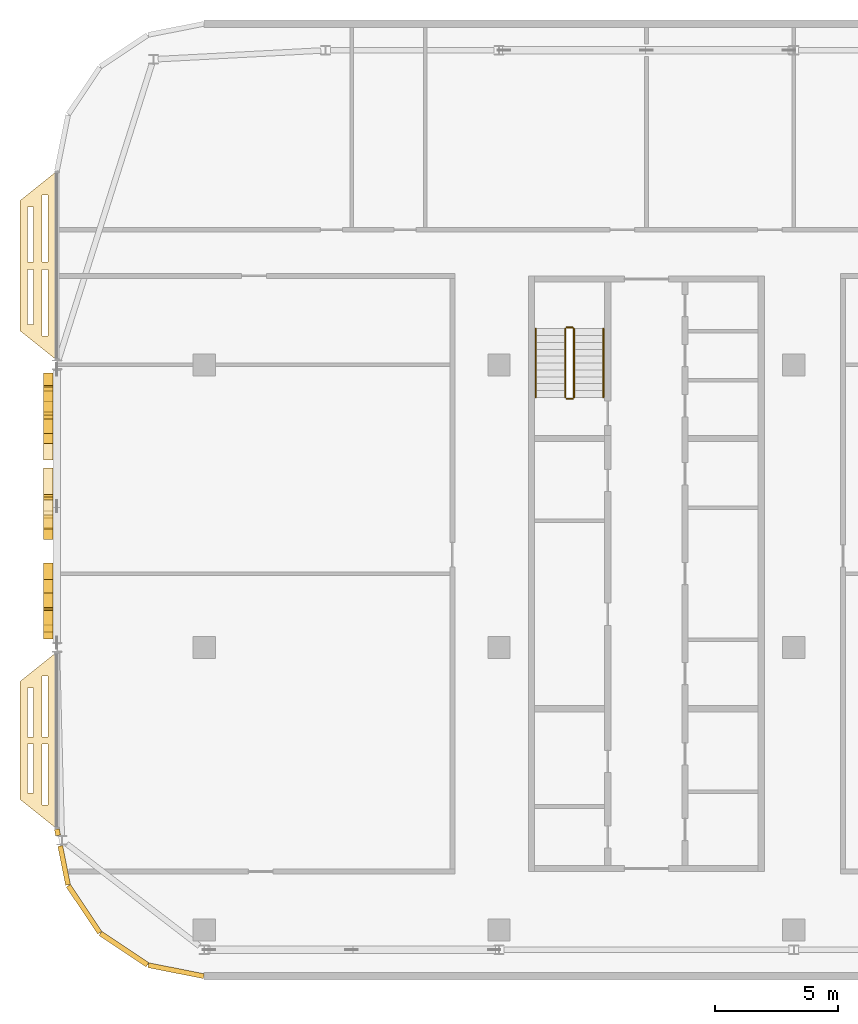
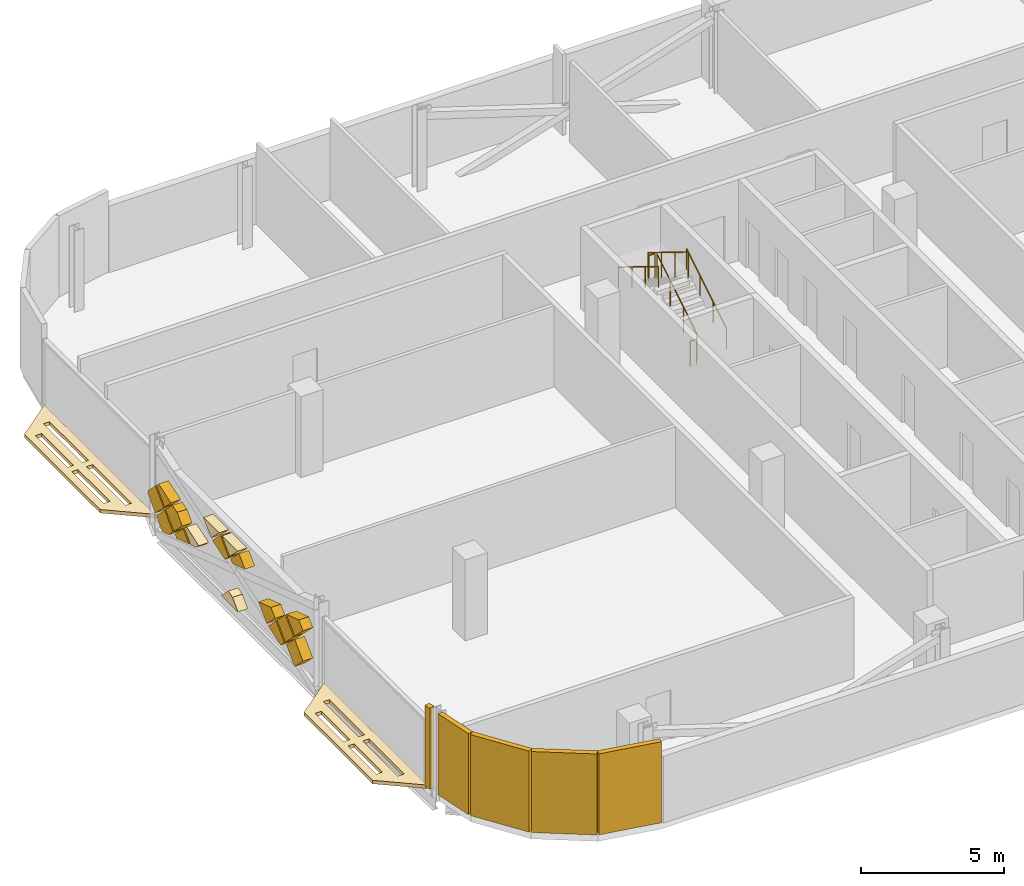
# One storey, part 24 of 28: 23 coverings, 6 railings.
"""IFC4 building model written with IfcOpenShell, lengths in metres."""

from ifc_helpers import new_model, si_unit, direction, frame, origin, origin_2d, place, context, subcontext, project, spatial, polyline, rectangle, circle, outline, extrude, material, layer, layer_set, type_object, element, save


model = new_model("IFC4")

# Units and contexts
model_context = context("Model", 3, precision=1e-05, world=origin(), true_north=direction((0.0, 1.0)))
body_context = subcontext(model_context, "Body", "Model", "MODEL_VIEW")
ifc_project = project(units=[si_unit("LENGTHUNIT", "METRE"), si_unit("AREAUNIT", "SQUARE_METRE"), si_unit("VOLUMEUNIT", "CUBIC_METRE"), si_unit("PLANEANGLEUNIT", "RADIAN"), si_unit("MASSUNIT", "GRAM", prefix="KILO")], contexts=[model_context])

# Site, building, storey
site_placement = place(None, origin())
site = spatial("IfcSite", under=ifc_project, at=site_placement, CompositionType="ELEMENT")
building_placement = place(site_placement, origin())
building = spatial("IfcBuilding", under=site, at=building_placement, Name="Mahtab Terrace Research Tower", CompositionType="ELEMENT")
storey_placement = place(building_placement, frame((0.0, 0.0, 270.89990234375)))
storey = spatial("IfcBuildingStorey", under=building, at=storey_placement, Name="L66", CompositionType="ELEMENT", Elevation=270.89990234375)

# Coverings
ifc_material_1 = material(Name="Black aluminium cladding panel", Category="aluminium")
ifc_layer_1 = layer(ifc_material_1, 0.199951171875)
ifc_layer_set_1 = layer_set([ifc_layer_1], Name="Black metal corner cladding 200")
covering_type_1 = type_object("IfcCoveringType", Name="Black metal corner cladding 200", PredefinedType="CLADDING", material=ifc_layer_set_1)
covering_1_placement = place(storey_placement, frame((-47.972900390625, -7.526123046875, 0.0), z_axis=(0.0, 0.0, 1.0), x_axis=(0.195212442692, -0.980760981187, 0.0)))
element("IfcCovering", 1, at=covering_1_placement, inside=storey, type_object=covering_type_1, Name="Corner cladding L66 11", PredefinedType="CLADDING", context=body_context, shape_type="SweptSolid", body=[
    extrude(rectangle(XDim=0.257568359375, YDim=0.199951171875, at=origin_2d()), origin(), (0.0, 0.0, 1.0), 3.4599609375),
])
covering_2_placement = place(storey_placement, frame((-47.7041015625, -8.876220703125, 0.0), z_axis=(0.0, 0.0, 1.0), x_axis=(0.195212442692, -0.980760981187, 0.0)))
element("IfcCovering", 2, at=covering_2_placement, inside=storey, type_object=covering_type_1, Name="Corner cladding L66 12", PredefinedType="CLADDING", context=body_context, shape_type="SweptSolid", body=[
    extrude(rectangle(XDim=1.611328125, YDim=0.199951171875, at=origin_2d()), origin(), (0.0, 0.0, 1.0), 3.4599609375),
])
for number, where, z_axis, x_axis, name in (
    (3, (-46.89306640625, -10.659423828125, 0.0), (0.0, 0.0, 1.0), (0.555291490808, -0.831655794326, 0.0), "Corner cladding L66 13"),
    (4, (-45.26953125, -12.282958984375, 0.0), (0.0, 0.0, 1.0), (0.831655794326, -0.555291490808, 0.0), "Corner cladding L66 14"),
    (5, (-43.14794921875, -13.16162109375, 0.0), (0.0, 0.0, 1.0), (0.980760981187, -0.195212442692, 0.0), "Corner cladding L66 15"),
):
    element("IfcCovering", number, at=place(storey_placement, frame(where, z_axis=z_axis, x_axis=x_axis)), inside=storey, type_object=covering_type_1, Name=name, PredefinedType="CLADDING", context=body_context, shape_type="SweptSolid", body=[
        extrude(rectangle(XDim=2.30126953125, YDim=0.199951171875, at=origin_2d()), origin(), (0.0, 0.0, 1.0), 3.4599609375),
    ])
ifc_material_2 = material(Name="Black anodised aluminium", Category="aluminium")
ifc_layer_2 = layer(ifc_material_2, 0.14990234375)
ifc_layer_set_2 = layer_set([ifc_layer_2], Name="Horizontal sunshade band")
covering_type_2 = type_object("IfcCoveringType", Name="Horizontal sunshade band", PredefinedType="CLADDING", material=ifc_layer_set_2)
covering_3_placement = place(storey_placement, frame((0.0, 0.0, -0.14990234375)))
element("IfcCovering", 6, at=covering_3_placement, inside=storey, type_object=covering_type_2, Name="Sunshade band L66 8", PredefinedType="CLADDING", context=body_context, shape_type="SweptSolid", body=[
    extrude(outline(polyline([(-48.0, 19.389892578125), (-48.0, 11.68798828125), (-49.5, 12.887939453125), (-49.5, 18.18994140625), (-48.0, 19.389892578125)]), holes=[polyline([(-48.35009765625, 18.409912109375), (-48.35009765625, 15.68896484375), (-48.60009765625, 15.68896484375), (-48.60009765625, 18.409912109375), (-48.35009765625, 18.409912109375)]), polyline([(-48.35009765625, 15.388916015625), (-48.35009765625, 12.66796875), (-48.60009765625, 12.66796875), (-48.60009765625, 15.388916015625), (-48.35009765625, 15.388916015625)]), polyline([(-48.949951171875, 17.929931640625), (-48.949951171875, 15.68896484375), (-49.199951171875, 15.68896484375), (-49.199951171875, 17.929931640625), (-48.949951171875, 17.929931640625)]), polyline([(-48.949951171875, 15.388916015625), (-48.949951171875, 13.14794921875), (-49.199951171875, 13.14794921875), (-49.199951171875, 15.388916015625), (-48.949951171875, 15.388916015625)])]), origin(), (0.0, 0.0, 1.0), 0.14990234375),
])
covering_4_placement = place(storey_placement, frame((0.0, 0.0, -0.14990234375)))
element("IfcCovering", 7, at=covering_4_placement, inside=storey, type_object=covering_type_2, Name="Sunshade band L66 10", PredefinedType="CLADDING", context=body_context, shape_type="SweptSolid", body=[
    extrude(outline(polyline([(-48.0, -0.18798828125), (-48.0, -7.389892578125), (-49.5, -6.18994140625), (-49.5, -1.387939453125), (-48.0, -0.18798828125)]), holes=[polyline([(-48.35009765625, -1.16796875), (-48.35009765625, -3.638916015625), (-48.60009765625, -3.638916015625), (-48.60009765625, -1.16796875), (-48.35009765625, -1.16796875)]), polyline([(-48.35009765625, -3.93896484375), (-48.35009765625, -6.409912109375), (-48.60009765625, -6.409912109375), (-48.60009765625, -3.93896484375), (-48.35009765625, -3.93896484375)]), polyline([(-48.949951171875, -1.64794921875), (-48.949951171875, -3.638916015625), (-49.199951171875, -3.638916015625), (-49.199951171875, -1.64794921875), (-48.949951171875, -1.64794921875)]), polyline([(-48.949951171875, -3.93896484375), (-48.949951171875, -5.929931640625), (-49.199951171875, -5.929931640625), (-49.199951171875, -3.93896484375), (-48.949951171875, -3.93896484375)])]), origin(), (0.0, 0.0, 1.0), 0.14990234375),
])
ifc_material_3 = material(Name="Bronze anodised aluminium", Category="aluminium")
ifc_layer_3 = layer(ifc_material_3, 0.39990234375)
ifc_layer_set_3 = layer_set([ifc_layer_3], Name="Mashrabiya relief panel 400")
covering_type_3 = type_object("IfcCoveringType", Name="Mashrabiya relief panel 400", PredefinedType="CLADDING", material=ifc_layer_set_3)
covering_5_placement = place(storey_placement, frame((-48.14990234375, 10.662109375, 2.030029296875), z_axis=(1.0, 0.0, 0.0), x_axis=(0.0, -0.707255598772, -0.706957932274)))
element("IfcCovering", 8, at=covering_5_placement, inside=storey, type_object=covering_type_3, Name="Mashrabiya lattice cell L66 W9.1", PredefinedType="CLADDING", context=body_context, shape_type="SweptSolid", body=[
    extrude(outline(polyline([(0.0, 0.0), (0.8201817362875763, 0.0), (0.8200090664636573, 0.8203543334390104), (0.09184101544392964, 0.8202010671685369), (-0.0001532662704735177, 0.7281680510197277), (0.0, 0.0)])), origin(), (0.0, 0.0, -1.0), 0.39990234375),
])
covering_6_placement = place(storey_placement, frame((-48.14990234375, 10.592041015625, 0.800048828125), z_axis=(1.0, 0.0, 0.0), x_axis=(0.0, -0.707106781187, 0.707106781187)))
element("IfcCovering", 9, at=covering_6_placement, inside=storey, type_object=covering_type_3, Name="Mashrabiya lattice cell L66 W9.2", PredefinedType="CLADDING", context=body_context, shape_type="SweptSolid", body=[
    extrude(outline(polyline([(0.0, 0.0), (0.8203543516109556, 0.0), (0.8203543516109556, 0.8203543516109556), (0.40448027058595726, 0.820181718119455), (0.0, 0.6166468316402217), (0.0, 0.0)])), origin(), (0.0, 0.0, -1.0), 0.39990234375),
])
covering_7_placement = place(storey_placement, frame((-48.14990234375, 10.011962890625, 1.52001953125), z_axis=(1.0, 0.0, 0.0), x_axis=(0.0, 0.707106781187, 0.707106781187)))
element("IfcCovering", 10, at=covering_7_placement, inside=storey, type_object=covering_type_3, Name="Mashrabiya lattice cell L66 W9.3", PredefinedType="CLADDING", context=body_context, shape_type="SweptSolid", body=[
    extrude(outline(polyline([(0.0, 0.0), (0.8203543516109556, 0.0), (0.8203543516109557, 0.20508858790273893), (0.0, 0.6180278995722266), (0.0, 0.0)])), origin(), (0.0, 0.0, -1.0), 0.39990234375),
])
covering_8_placement = place(storey_placement, frame((-48.14990234375, 8.781982421875, 1.4501953125), z_axis=(1.0, 0.0, 0.0), x_axis=(0.0, 0.707106781187, -0.707106781187)))
element("IfcCovering", 11, at=covering_8_placement, inside=storey, type_object=covering_type_3, Name="Mashrabiya lattice cell L66 W9.4", PredefinedType="CLADDING", context=body_context, shape_type="SweptSolid", body=[
    extrude(outline(polyline([(0.0, 0.0), (0.8203543516109556, 0.0), (0.820181718119455, 0.820181718119455), (0.15278063997805047, 0.820181718119455), (0.0, 0.5175552075188646), (0.0, 0.0)])), origin(), (0.0, 0.0, -1.0), 0.39990234375),
])
covering_9_placement = place(storey_placement, frame((-48.14990234375, 9.2919921875, 0.800048828125), z_axis=(1.0, 0.0, 0.0), x_axis=(0.0, -0.707106781187, 0.707106781187)))
element("IfcCovering", 12, at=covering_9_placement, inside=storey, type_object=covering_type_3, Name="Mashrabiya lattice cell L66 W9.5", PredefinedType="CLADDING", context=body_context, shape_type="SweptSolid", body=[
    extrude(outline(polyline([(0.0, 0.0), (0.8203543516109556, 0.0), (0.8203543516109556, 0.5727979247990637), (0.0, 0.15985861312957594), (0.0, 0.0)])), origin(), (0.0, 0.0, -1.0), 0.39990234375),
])
covering_10_placement = place(storey_placement, frame((-48.14990234375, 8.64208984375, 1.4501953125), z_axis=(1.0, 0.0, 0.0), x_axis=(0.0, -0.707685664875, 0.706527423198)))
element("IfcCovering", 13, at=covering_10_placement, inside=storey, type_object=covering_type_3, Name="Mashrabiya lattice cell L66 W9.6", PredefinedType="CLADDING", context=body_context, shape_type="SweptSolid", body=[
    extrude(outline(polyline([(0.0, 0.0), (0.21078556381573302, -1.3877787807814457e-17), (0.624223832833202, 0.819843386911982), (0.39393083240729554, 0.820031997067941), (0.0005098412461679858, 0.6225161615710786), (0.0, 0.0)])), origin(), (0.0, 0.0, -1.0), 0.39990234375),
])
covering_11_placement = place(storey_placement, frame((-48.14990234375, 6.761962890625, 2.170166015625), z_axis=(1.0, 0.0, 0.0), x_axis=(0.0, 0.707264283526, 0.706949243756)))
element("IfcCovering", 14, at=covering_11_placement, inside=storey, type_object=covering_type_3, Name="Mashrabiya lattice cell L66 W9.7", PredefinedType="CLADDING", context=body_context, shape_type="SweptSolid", body=[
    extrude(outline(polyline([(0.0, 0.0), (0.7749517625747938, 0.0), (-0.00017259503021394007, 0.7747790906305735), (0.0, 0.0)])), origin(), (0.0, 0.0, -1.0), 0.39990234375),
])
covering_12_placement = place(storey_placement, frame((-48.14990234375, 6.112060546875, 2.68017578125), z_axis=(1.0, 0.0, 0.0), x_axis=(0.0, -0.707106781187, -0.707106781187)))
element("IfcCovering", 15, at=covering_12_placement, inside=storey, type_object=covering_type_3, Name="Mashrabiya lattice cell L66 W9.8", PredefinedType="CLADDING", context=body_context, shape_type="SweptSolid", body=[
    extrude(outline(polyline([(0.0, 0.0), (0.8203543516109556, 0.0), (0.8201817181194551, 0.3747873100478503), (0.0001726334915005956, 0.787726621717338), (0.0, 0.0)])), origin(), (0.0, 0.0, -1.0), 0.39990234375),
])
covering_13_placement = place(storey_placement, frame((-48.14990234375, 6.0419921875, 0.150146484375), z_axis=(1.0, 0.0, 0.0), x_axis=(0.0, -0.707106781187, 0.707106781187)))
element("IfcCovering", 16, at=covering_13_placement, inside=storey, type_object=covering_type_3, Name="Mashrabiya lattice cell L66 W9.9", PredefinedType="CLADDING", context=body_context, shape_type="SweptSolid", body=[
    extrude(outline(polyline([(0.0, 0.0), (0.6801759565124506, 0.0), (0.8203543516109556, 0.2786304552820039), (0.820181718119455, 0.820181718119455), (0.7989477986648784, 0.8203543516109556), (-0.00017263349150062335, 0.021233919454576502), (0.0, 0.0)])), origin(), (0.0, 0.0, -1.0), 0.39990234375),
])
covering_14_placement = place(storey_placement, frame((-48.14990234375, 5.4619140625, 2.170166015625), z_axis=(1.0, 0.0, 0.0), x_axis=(0.0, 0.707264283526, 0.706949243756)))
element("IfcCovering", 17, at=covering_14_placement, inside=storey, type_object=covering_type_3, Name="Mashrabiya lattice cell L66 W9.10", PredefinedType="CLADDING", context=body_context, shape_type="SweptSolid", body=[
    extrude(outline(polyline([(0.0, 0.0), (0.7749517625747938, 0.0), (-0.00017259503021394007, 0.7747790906305735), (0.0, 0.0)])), origin(), (0.0, 0.0, -1.0), 0.39990234375),
])
covering_15_placement = place(storey_placement, frame((-48.14990234375, 5.39208984375, 2.10009765625), z_axis=(1.0, 0.0, 0.0), x_axis=(0.0, -0.707106781187, 0.707106781187)))
element("IfcCovering", 18, at=covering_15_placement, inside=storey, type_object=covering_type_3, Name="Mashrabiya lattice cell L66 W9.11", PredefinedType="CLADDING", context=body_context, shape_type="SweptSolid", body=[
    extrude(outline(polyline([(0.0, 0.0), (0.8203543516109556, 0.0), (0.8203543516109555, 0.5855728031701097), (0.0, 0.17263349150062196), (0.0, 0.0)])), origin(), (0.0, 0.0, -1.0), 0.39990234375),
])
covering_16_placement = place(storey_placement, frame((-48.14990234375, 2.281982421875, 1.4501953125), z_axis=(1.0, 0.0, 0.0), x_axis=(0.0, 0.707106781187, -0.707106781187)))
element("IfcCovering", 19, at=covering_16_placement, inside=storey, type_object=covering_type_3, Name="Mashrabiya lattice cell L66 W9.12", PredefinedType="CLADDING", context=body_context, shape_type="SweptSolid", body=[
    extrude(outline(polyline([(0.0, 0.0), (0.8203543516109556, 0.0), (0.820181718119455, 0.820181718119455), (0.0, 0.4129393116694877), (0.0, 0.0)])), origin(), (0.0, 0.0, -1.0), 0.39990234375),
])
covering_17_placement = place(storey_placement, frame((-48.14990234375, 2.2119140625, 1.380126953125), z_axis=(1.0, 0.0, 0.0), x_axis=(0.0, -0.706957932274, -0.707255598772)))
element("IfcCovering", 20, at=covering_17_placement, inside=storey, type_object=covering_type_3, Name="Mashrabiya lattice cell L66 W9.13", PredefinedType="CLADDING", context=body_context, shape_type="SweptSolid", body=[
    extrude(outline(polyline([(0.0, 0.0), (0.8201817362875763, 0.0), (0.8202578970516619, 0.3618397901700685), (0.00016314972840830722, 0.775124359667752), (0.0, 0.0)])), origin(), (0.0, 0.0, -1.0), 0.39990234375),
])
covering_18_placement = place(storey_placement, frame((-48.14990234375, 1.56201171875, 2.030029296875), z_axis=(1.0, 0.0, 0.0), x_axis=(0.0, -0.707255598772, -0.706957932274)))
element("IfcCovering", 21, at=covering_18_placement, inside=storey, type_object=covering_type_3, Name="Mashrabiya lattice cell L66 W9.14", PredefinedType="CLADDING", context=body_context, shape_type="SweptSolid", body=[
    extrude(outline(polyline([(0.0, 0.0), (0.8201817362875763, 0.0), (0.8200090664636573, 0.8203543334390104), (-0.0003452669753531423, 0.8201816636150915), (0.0, 0.0)])), origin(), (0.0, 0.0, -1.0), 0.39990234375),
])
covering_19_placement = place(storey_placement, frame((-48.14990234375, 1.491943359375, 0.800048828125), z_axis=(1.0, 0.0, 0.0), x_axis=(0.0, -0.706957932274, 0.707255598772)))
element("IfcCovering", 22, at=covering_19_placement, inside=storey, type_object=covering_type_3, Name="Mashrabiya lattice cell L66 W9.15", PredefinedType="CLADDING", context=body_context, shape_type="SweptSolid", body=[
    extrude(outline(polyline([(0.0, 0.0), (0.8201817362875763, 0.0), (0.8200090664636573, 0.8203543334390104), (0.0013810679014124583, 0.8201820269775155), (0.0, 0.0)])), origin(), (0.0, 0.0, -1.0), 0.39990234375),
])
covering_20_placement = place(storey_placement, frame((-48.14990234375, 0.33203125, 2.10009765625), z_axis=(1.0, 0.0, 0.0), x_axis=(0.0, 0.707106781187, -0.707106781187)))
element("IfcCovering", 23, at=covering_20_placement, inside=storey, type_object=covering_type_3, Name="Mashrabiya lattice cell L66 W9.16", PredefinedType="CLADDING", context=body_context, shape_type="SweptSolid", body=[
    extrude(outline(polyline([(0.0, 0.0), (0.8203543516109556, 0.0), (0.820181718119455, 0.820181718119455), (0.0, 0.4074150399414678), (0.0, 0.0)])), origin(), (0.0, 0.0, -1.0), 0.39990234375),
])

# Railings
ifc_material_4 = material(Name="Stainless steel AISI 304", Category="steel")
railing_type_1 = type_object("IfcRailingType", Name="Stair guard 1100", PredefinedType="GUARDRAIL", material=ifc_material_4)
railing_1_placement = place(storey_placement, frame((-26.949951171875, 10.175048828125, 0.1728515625)))
element("IfcRailing", 24, at=railing_1_placement, inside=storey, type_object=railing_type_1, Name="L66 ST1 stair guard 1", PredefinedType="GUARDRAIL", context=body_context, shape_type="SweptSolid", body=[
    extrude(circle(Radius=0.02392578125, at=origin_2d()), frame((0.0, 0.0, 1.076171875), z_axis=(0.0, 0.851089632645, 0.525020415988), x_axis=(-1.0, 0.0, 0.0)), (0.0, 0.0, 1.0), 3.2900390625),
    extrude(circle(Radius=0.02099609375, at=origin_2d()), origin(), (0.0, 0.0, 1.0), 1.052001953125),
    extrude(circle(Radius=0.02099609375, at=origin_2d()), frame((0.0, 0.933349609375, 0.57568359375)), (0.0, 0.0, 1.0), 1.052001953125),
    extrude(circle(Radius=0.02099609375, at=origin_2d()), frame((0.0, 1.86669921875, 1.151611328125)), (0.0, 0.0, 1.0), 1.052001953125),
    extrude(circle(Radius=0.02099609375, at=origin_2d()), frame((0.0, 2.800048828125, 1.727294921875)), (0.0, 0.0, 1.0), 1.052001953125),
])
railing_2_placement = place(storey_placement, frame((-27.0, 13.02490234375, 1.900146484375)))
element("IfcRailing", 25, at=railing_2_placement, inside=storey, type_object=railing_type_1, Name="L66 ST1 stair guard 2", PredefinedType="GUARDRAIL", context=body_context, shape_type="SweptSolid", body=[
    extrude(circle(Radius=0.02392578125, at=origin_2d()), frame((0.0, 0.0, 1.076171875), z_axis=(-1.0, 0.0, 0.0), x_axis=(0.0, -1.0, 0.0)), (0.0, 0.0, 1.0), 0.25),
    extrude(circle(Radius=0.02099609375, at=origin_2d()), origin(), (0.0, 0.0, 1.0), 1.052001953125),
    extrude(circle(Radius=0.02099609375, at=origin_2d()), frame((-0.25, 0.0, 0.0)), (0.0, 0.0, 1.0), 1.052001953125),
])
railing_3_placement = place(storey_placement, frame((-27.300048828125, 12.97509765625, 2.07275390625)))
element("IfcRailing", 26, at=railing_3_placement, inside=storey, type_object=railing_type_1, Name="L66 ST1 stair guard 3", PredefinedType="GUARDRAIL", context=body_context, shape_type="SweptSolid", body=[
    extrude(circle(Radius=0.02392578125, at=origin_2d()), frame((0.0, 0.0, 1.076171875), z_axis=(0.0, -0.851089632645, 0.525020415988), x_axis=(1.0, 0.0, 0.0)), (0.0, 0.0, 1.0), 3.2900390625),
    extrude(circle(Radius=0.02099609375, at=origin_2d()), origin(), (0.0, 0.0, 1.0), 1.052001953125),
    extrude(circle(Radius=0.02099609375, at=origin_2d()), frame((0.0, -0.933349609375, 0.57568359375)), (0.0, 0.0, 1.0), 1.052001953125),
    extrude(circle(Radius=0.02099609375, at=origin_2d()), frame((0.0, -1.86669921875, 1.151611328125)), (0.0, 0.0, 1.0), 1.052001953125),
    extrude(circle(Radius=0.02099609375, at=origin_2d()), frame((0.0, -2.800048828125, 1.727294921875)), (0.0, 0.0, 1.0), 1.052001953125),
])
railing_4_placement = place(storey_placement, frame((-27.0, 10.125, 0.0)))
element("IfcRailing", 27, at=railing_4_placement, inside=storey, type_object=railing_type_1, Name="L66 ST1 stair guard 4", PredefinedType="GUARDRAIL", context=body_context, shape_type="SweptSolid", body=[
    extrude(circle(Radius=0.02392578125, at=origin_2d()), frame((0.0, 0.0, 1.076171875), z_axis=(-1.0, 0.0, 0.0), x_axis=(0.0, -1.0, 0.0)), (0.0, 0.0, 1.0), 0.25),
    extrude(circle(Radius=0.02099609375, at=origin_2d()), origin(), (0.0, 0.0, 1.0), 1.052001953125),
    extrude(circle(Radius=0.02099609375, at=origin_2d()), frame((-0.25, 0.0, 0.0)), (0.0, 0.0, 1.0), 1.052001953125),
])
railing_type_2 = type_object("IfcRailingType", Name="Stair handrail 900", PredefinedType="HANDRAIL", material=ifc_material_4)
railing_5_placement = place(storey_placement, frame((-25.75, 10.175048828125, 0.1728515625)))
element("IfcRailing", 28, at=railing_5_placement, inside=storey, type_object=railing_type_2, Name="L66 ST1 stair handrail 1", PredefinedType="HANDRAIL", context=body_context, shape_type="SweptSolid", body=[
    extrude(circle(Radius=0.02392578125, at=origin_2d()), frame((0.0, 0.0, 0.8759765625), z_axis=(0.0, 0.851089632645, 0.525020415988), x_axis=(-1.0, 0.0, 0.0)), (0.0, 0.0, 1.0), 3.2900390625),
    extrude(circle(Radius=0.02099609375, at=origin_2d()), origin(), (0.0, 0.0, 1.0), 0.851806640625),
    extrude(circle(Radius=0.02099609375, at=origin_2d()), frame((0.0, 0.933349609375, 0.57568359375)), (0.0, 0.0, 1.0), 0.851806640625),
    extrude(circle(Radius=0.02099609375, at=origin_2d()), frame((0.0, 1.86669921875, 1.151611328125)), (0.0, 0.0, 1.0), 0.851806640625),
    extrude(circle(Radius=0.02099609375, at=origin_2d()), frame((0.0, 2.800048828125, 1.727294921875)), (0.0, 0.0, 1.0), 0.851806640625),
])
railing_6_placement = place(storey_placement, frame((-28.5, 12.97509765625, 2.07275390625)))
element("IfcRailing", 29, at=railing_6_placement, inside=storey, type_object=railing_type_2, Name="L66 ST1 stair handrail 2", PredefinedType="HANDRAIL", context=body_context, shape_type="SweptSolid", body=[
    extrude(circle(Radius=0.02392578125, at=origin_2d()), frame((0.0, 0.0, 0.8759765625), z_axis=(0.0, -0.851089632645, 0.525020415988), x_axis=(1.0, 0.0, 0.0)), (0.0, 0.0, 1.0), 3.2900390625),
    extrude(circle(Radius=0.02099609375, at=origin_2d()), origin(), (0.0, 0.0, 1.0), 0.851806640625),
    extrude(circle(Radius=0.02099609375, at=origin_2d()), frame((0.0, -0.933349609375, 0.57568359375)), (0.0, 0.0, 1.0), 0.851806640625),
    extrude(circle(Radius=0.02099609375, at=origin_2d()), frame((0.0, -1.86669921875, 1.151611328125)), (0.0, 0.0, 1.0), 0.851806640625),
    extrude(circle(Radius=0.02099609375, at=origin_2d()), frame((0.0, -2.800048828125, 1.727294921875)), (0.0, 0.0, 1.0), 0.851806640625),
])

save(model, "model.ifc")
